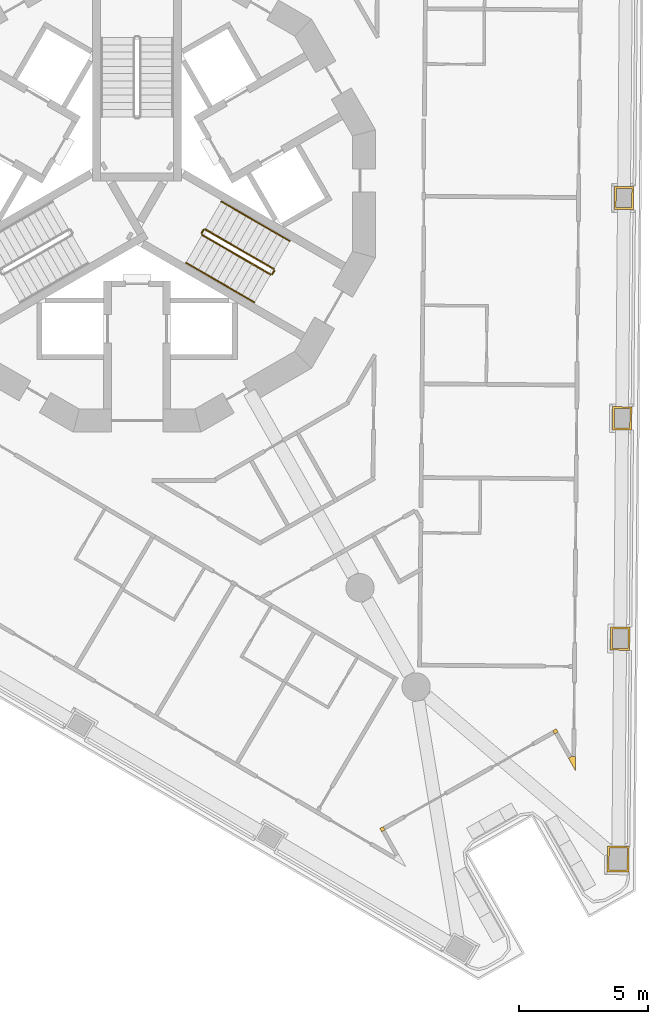
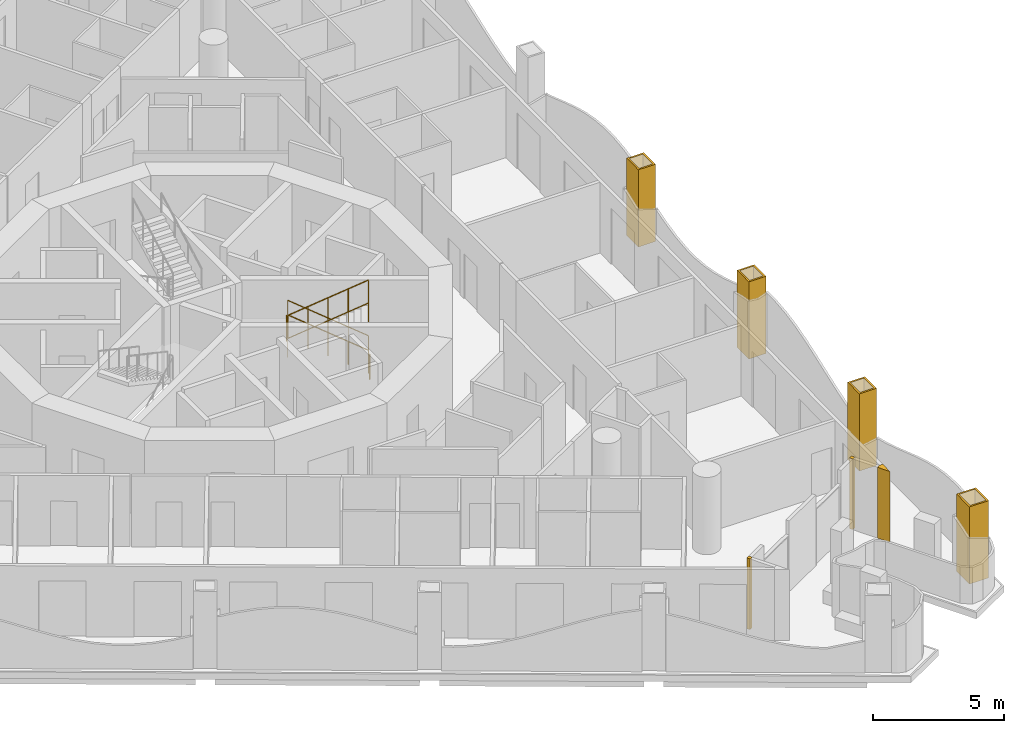
# One storey, part 14 of 17: 8 railings, 7 coverings.
"""IFC4 building model written with IfcOpenShell, lengths in metres."""

from ifc_helpers import new_model, si_unit, direction, frame, origin, origin_2d, place, context, subcontext, project, spatial, polyline, circle, outline, extrude, material, layer, layer_set, type_object, element, save


model = new_model("IFC4")

# Units and contexts
model_context = context("Model", 3, precision=1e-05, world=origin(), true_north=direction((0.0, 1.0)))
body_context = subcontext(model_context, "Body", "Model", "MODEL_VIEW")
ifc_project = project(units=[si_unit("LENGTHUNIT", "METRE"), si_unit("AREAUNIT", "SQUARE_METRE"), si_unit("VOLUMEUNIT", "CUBIC_METRE"), si_unit("PLANEANGLEUNIT", "RADIAN"), si_unit("MASSUNIT", "GRAM", prefix="KILO")], contexts=[model_context])

# Site, building, storey
site_placement = place(None, origin())
site = spatial("IfcSite", under=ifc_project, at=site_placement, CompositionType="ELEMENT")
building_placement = place(site_placement, origin())
building = spatial("IfcBuilding", under=site, at=building_placement, Name="Trine Commons Tower", CompositionType="ELEMENT")
storey_placement = place(building_placement, frame((0.0, 0.0, 179.10009765625)))
storey = spatial("IfcBuildingStorey", under=building, at=storey_placement, Name="L46", CompositionType="ELEMENT", Elevation=179.10009765625)

# Coverings
ifc_material_1 = material(Name="Aluminium-framed insulated wall panel", Category="aluminium")
ifc_layer_1 = layer(ifc_material_1, 0.14990234375)
ifc_layer_set_1 = layer_set([ifc_layer_1], Name="Aluminium-framed insulated wall panel")
covering_type_1 = type_object("IfcCoveringType", Name="Glazing corner post, aluminium", PredefinedType="CLADDING", material=ifc_layer_set_1)
covering_1_placement = place(storey_placement, origin())
element("IfcCovering", 1, at=covering_1_placement, inside=storey, type_object=covering_type_1, Name="Glazing corner post 5-09", PredefinedType="CLADDING", context=body_context, shape_type="SweptSolid", body=[
    extrude(outline(polyline([(96.776611328125, 40.5439453125), (97.05224609375, 40.056640625), (97.05712890625, 40.616455078125), (96.9072265625, 40.617919921875), (96.9072265625, 40.617919921875), (96.776611328125, 40.5439453125)])), origin(), (0.0, 0.0, 1.0), 3.2998046875),
])
covering_2_placement = place(storey_placement, origin())
element("IfcCovering", 2, at=covering_2_placement, inside=storey, type_object=covering_type_1, Name="Glazing corner post 5-10", PredefinedType="CLADDING", context=body_context, shape_type="SweptSolid", body=[
    extrude(outline(polyline([(96.168212890625, 41.619384765625), (96.241943359375, 41.489013671875), (96.37255859375, 41.562744140625), (96.298583984375, 41.693359375), (96.168212890625, 41.619384765625)])), origin(), (0.0, 0.0, 1.0), 3.2998046875),
])
covering_3_placement = place(storey_placement, origin())
element("IfcCovering", 3, at=covering_3_placement, inside=storey, type_object=covering_type_1, Name="Glazing corner post 5-11", PredefinedType="CLADDING", context=body_context, shape_type="SweptSolid", body=[
    extrude(outline(polyline([(89.51416015625, 37.6826171875), (89.644775390625, 37.75634765625), (89.57080078125, 37.886962890625), (89.440185546875, 37.81298828125), (89.51416015625, 37.6826171875)])), origin(), (0.0, 0.0, 1.0), 3.2998046875),
])
ifc_material_2 = material(Name="Limestone, honed", Category="masonry")
ifc_layer_2 = layer(ifc_material_2, 0.074951171875)
ifc_layer_set_2 = layer_set([ifc_layer_2], Name="Limestone, honed")
covering_type_2 = type_object("IfcCoveringType", Name="Limestone column cladding 75", PredefinedType="CLADDING", material=ifc_layer_set_2)
covering_4_placement = place(storey_placement, origin())
element("IfcCovering", 4, at=covering_4_placement, inside=storey, type_object=covering_type_2, Name="Limestone pier cladding 5-18", PredefinedType="CLADDING", context=body_context, shape_type="SweptSolid", body=[
    extrude(outline(polyline([(99.315673828125, 62.781494140625), (98.565673828125, 62.7880859375), (98.557861328125, 61.887939453125), (99.307861328125, 61.88134765625), (99.315673828125, 62.781494140625)]), holes=[polyline([(99.239990234375, 62.70703125), (98.64013671875, 62.71240234375), (98.633544921875, 61.96240234375), (99.2333984375, 61.95703125), (99.239990234375, 62.70703125)])]), origin(), (0.0, 0.0, 1.0), 3.599853515625),
])
covering_5_placement = place(storey_placement, origin())
element("IfcCovering", 5, at=covering_5_placement, inside=storey, type_object=covering_type_2, Name="Limestone pier cladding 5-19", PredefinedType="CLADDING", context=body_context, shape_type="SweptSolid", body=[
    extrude(outline(polyline([(99.240966796875, 54.211181640625), (98.490966796875, 54.2177734375), (98.483154296875, 53.31787109375), (99.233154296875, 53.311279296875), (99.240966796875, 54.211181640625)]), holes=[polyline([(99.165283203125, 54.136962890625), (98.565185546875, 54.14208984375), (98.55859375, 53.39208984375), (99.15869140625, 53.386962890625), (99.165283203125, 54.136962890625)])]), origin(), (0.0, 0.0, 1.0), 3.599853515625),
])
covering_6_placement = place(storey_placement, origin())
element("IfcCovering", 6, at=covering_6_placement, inside=storey, type_object=covering_type_2, Name="Limestone pier cladding 5-20", PredefinedType="CLADDING", context=body_context, shape_type="SweptSolid", body=[
    extrude(outline(polyline([(99.166015625, 45.640869140625), (98.416015625, 45.6474609375), (98.408203125, 44.74755859375), (99.158203125, 44.740966796875), (99.166015625, 45.640869140625)]), holes=[polyline([(99.090576171875, 45.566650390625), (98.490478515625, 45.57177734375), (98.48388671875, 44.82177734375), (99.083984375, 44.816650390625), (99.090576171875, 45.566650390625)])]), origin(), (0.0, 0.0, 1.0), 3.599853515625),
])
covering_7_placement = place(storey_placement, origin())
element("IfcCovering", 7, at=covering_7_placement, inside=storey, type_object=covering_type_2, Name="Limestone pier cladding 5-21", PredefinedType="CLADDING", context=body_context, shape_type="SweptSolid", body=[
    extrude(outline(polyline([(99.1416015625, 37.1201171875), (98.291748046875, 37.127685546875), (98.283203125, 36.127685546875), (99.133056640625, 36.1201171875), (99.1416015625, 37.1201171875)]), holes=[polyline([(99.066162109375, 37.0458984375), (98.3662109375, 37.052001953125), (98.358642578125, 36.201904296875), (99.05859375, 36.19580078125), (99.066162109375, 37.0458984375)])]), origin(), (0.0, 0.0, 1.0), 3.599853515625),
])

# Railings
ifc_material_3 = material(Name="Stainless steel balustrade", Category="steel")
railing_type_1 = type_object("IfcRailingType", Name="Stair guard, steel balustrade 1100", PredefinedType="GUARDRAIL", material=ifc_material_3)
railing_1_placement = place(storey_placement, frame((85.31982421875, 59.572998046875, 0.14990234375)))
element("IfcRailing", 8, at=railing_1_placement, inside=storey, type_object=railing_type_1, Name="L46 ST3B stair guard 1", PredefinedType="GUARDRAIL", context=body_context, shape_type="SweptSolid", body=[
    extrude(circle(Radius=0.02392578125, at=origin_2d()), frame((0.0, 0.0, 1.076171875), z_axis=(-0.76340495495, 0.440743040072, 0.472184759798), x_axis=(-0.499992328818, -0.866029832698, 0.0)), (0.0, 0.0, 1.0), 3.494140625),
    extrude(circle(Radius=0.02099609375, at=origin_2d()), origin(), (0.0, 0.0, 1.0), 1.052001953125),
    extrude(circle(Radius=0.02099609375, at=origin_2d()), frame((-0.6669921875, 0.385009765625, 0.41259765625)), (0.0, 0.0, 1.0), 1.052001953125),
    extrude(circle(Radius=0.02099609375, at=origin_2d()), frame((-1.333740234375, 0.77001953125, 0.824951171875)), (0.0, 0.0, 1.0), 1.052001953125),
    extrude(circle(Radius=0.02099609375, at=origin_2d()), frame((-2.00048828125, 1.155029296875, 1.2373046875)), (0.0, 0.0, 1.0), 1.052001953125),
    extrude(circle(Radius=0.02099609375, at=origin_2d()), frame((-2.66748046875, 1.5400390625, 1.64990234375)), (0.0, 0.0, 1.0), 1.052001953125),
])
railing_2_placement = place(storey_placement, frame((82.584228515625, 61.0947265625, 1.7998046875)))
element("IfcRailing", 9, at=railing_2_placement, inside=storey, type_object=railing_type_1, Name="L46 ST3B stair guard 2", PredefinedType="GUARDRAIL", context=body_context, shape_type="SweptSolid", body=[
    extrude(circle(Radius=0.02392578125, at=origin_2d()), frame((0.0, 0.0, 1.076171875), z_axis=(-0.501036270542, -0.865426285481, 0.0), x_axis=(0.865426285481, -0.501036270542, 0.0)), (0.0, 0.0, 1.0), 0.150146484375),
    extrude(circle(Radius=0.02099609375, at=origin_2d()), origin(), (0.0, 0.0, 1.0), 1.052001953125),
    extrude(circle(Radius=0.02099609375, at=origin_2d()), frame((-0.0751953125, -0.1298828125, 0.0)), (0.0, 0.0, 1.0), 1.052001953125),
])
railing_3_placement = place(storey_placement, frame((82.52734375, 60.896484375, 1.949951171875)))
element("IfcRailing", 10, at=railing_3_placement, inside=storey, type_object=railing_type_1, Name="L46 ST3B stair guard 3", PredefinedType="GUARDRAIL", context=body_context, shape_type="SweptSolid", body=[
    extrude(circle(Radius=0.02392578125, at=origin_2d()), frame((0.0, 0.0, 1.076171875), z_axis=(0.76340495495, -0.440743040072, 0.472184759798), x_axis=(0.499992328818, 0.866029832698, 0.0)), (0.0, 0.0, 1.0), 3.494140625),
    extrude(circle(Radius=0.02099609375, at=origin_2d()), origin(), (0.0, 0.0, 1.0), 1.052001953125),
    extrude(circle(Radius=0.02099609375, at=origin_2d()), frame((0.6669921875, -0.385009765625, 0.41259765625)), (0.0, 0.0, 1.0), 1.052001953125),
    extrude(circle(Radius=0.02099609375, at=origin_2d()), frame((1.333740234375, -0.77001953125, 0.824951171875)), (0.0, 0.0, 1.0), 1.052001953125),
    extrude(circle(Radius=0.02099609375, at=origin_2d()), frame((2.00048828125, -1.155029296875, 1.2373046875)), (0.0, 0.0, 1.0), 1.052001953125),
    extrude(circle(Radius=0.02099609375, at=origin_2d()), frame((2.66748046875, -1.5400390625, 1.64990234375)), (0.0, 0.0, 1.0), 1.052001953125),
])
railing_4_placement = place(storey_placement, frame((85.338134765625, 59.504638671875, 0.0)))
element("IfcRailing", 11, at=railing_4_placement, inside=storey, type_object=railing_type_1, Name="L46 ST3B stair guard 4", PredefinedType="GUARDRAIL", context=body_context, shape_type="SweptSolid", body=[
    extrude(circle(Radius=0.02392578125, at=origin_2d()), frame((0.0, 0.0, 1.076171875), z_axis=(-0.499816412211, -0.866131372301, 0.0), x_axis=(0.866131372301, -0.499816412211, 0.0)), (0.0, 0.0, 1.0), 0.14990234375),
    extrude(circle(Radius=0.02099609375, at=origin_2d()), origin(), (0.0, 0.0, 1.0), 1.052001953125),
    extrude(circle(Radius=0.02099609375, at=origin_2d()), frame((-0.074951171875, -0.1298828125, 0.0)), (0.0, 0.0, 1.0), 1.052001953125),
])
ifc_material_4 = material(Name="Stainless steel handrail", Category="steel")
railing_type_2 = type_object("IfcRailingType", Name="Stair handrail, steel 900", PredefinedType="HANDRAIL", material=ifc_material_4)
for number, where, name in (
    (12, (85.94482421875, 60.655517578125, 0.14990234375), "L46 ST3B stair handrail 1"),
    (13, (84.611083984375, 61.425537109375, 0.974853515625), "L46 ST3B stair handrail 2"),
):
    element("IfcRailing", number, at=place(storey_placement, frame(where)), inside=storey, type_object=railing_type_2, Name=name, PredefinedType="HANDRAIL", context=body_context, shape_type="SweptSolid", body=[
        extrude(circle(Radius=0.02099609375, at=origin_2d()), frame((0.0, 0.0, 0.87890625), z_axis=(-0.76340495495, 0.440743040072, 0.472184759798), x_axis=(-0.499992328818, -0.866029832698, 0.0)), (0.0, 0.0, 1.0), 1.7470703125),
        extrude(circle(Radius=0.01513671875, at=origin_2d()), origin(), (0.0, 0.0, 1.0), 0.85791015625),
        extrude(circle(Radius=0.01513671875, at=origin_2d()), frame((-0.6669921875, 0.385009765625, 0.41259765625)), (0.0, 0.0, 1.0), 0.85791015625),
        extrude(circle(Radius=0.01513671875, at=origin_2d()), frame((-1.333740234375, 0.77001953125, 0.824951171875)), (0.0, 0.0, 1.0), 0.85791015625),
    ])
for number, where, name in (
    (14, (81.90234375, 59.81396484375, 1.949951171875), "L46 ST3B stair handrail 3"),
    (15, (83.236083984375, 59.0439453125, 2.77490234375), "L46 ST3B stair handrail 4"),
):
    element("IfcRailing", number, at=place(storey_placement, frame(where)), inside=storey, type_object=railing_type_2, Name=name, PredefinedType="HANDRAIL", context=body_context, shape_type="SweptSolid", body=[
        extrude(circle(Radius=0.02099609375, at=origin_2d()), frame((0.0, 0.0, 0.87890625), z_axis=(0.76340495495, -0.440743040072, 0.472184759798), x_axis=(0.499992328818, 0.866029832698, 0.0)), (0.0, 0.0, 1.0), 1.7470703125),
        extrude(circle(Radius=0.01513671875, at=origin_2d()), origin(), (0.0, 0.0, 1.0), 0.85791015625),
        extrude(circle(Radius=0.01513671875, at=origin_2d()), frame((0.6669921875, -0.385009765625, 0.41259765625)), (0.0, 0.0, 1.0), 0.85791015625),
        extrude(circle(Radius=0.01513671875, at=origin_2d()), frame((1.333740234375, -0.77001953125, 0.824951171875)), (0.0, 0.0, 1.0), 0.85791015625),
    ])

save(model, "model.ifc")
